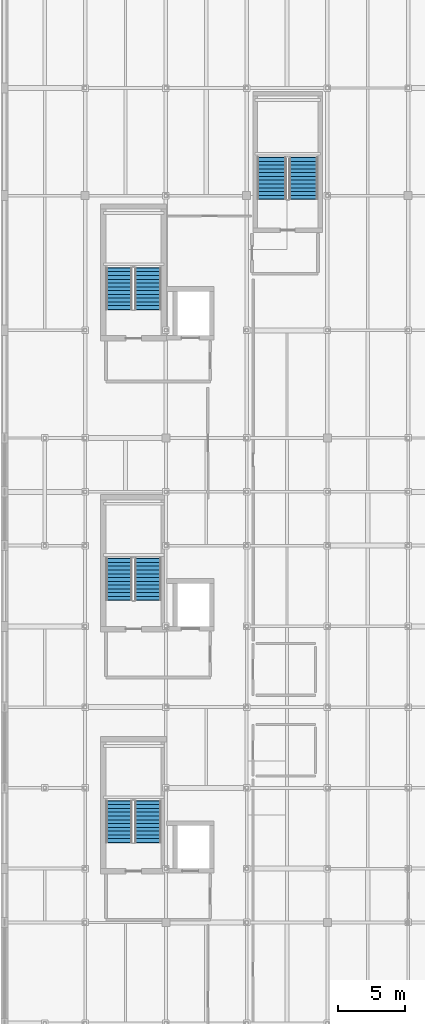
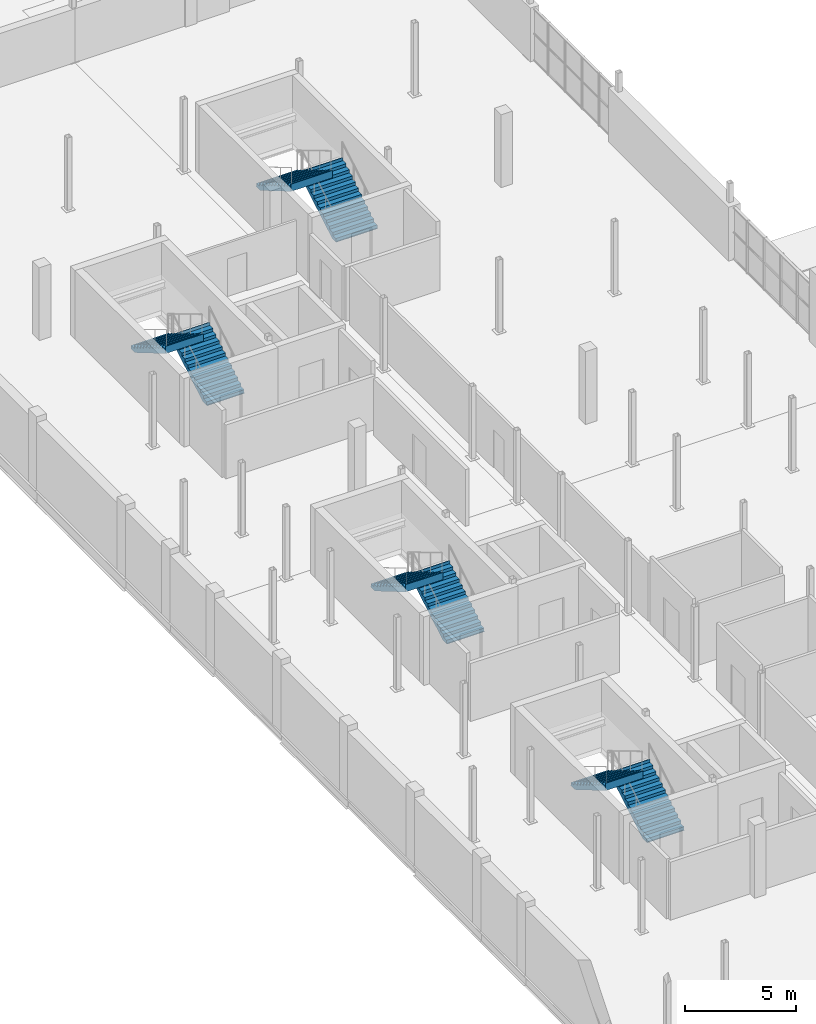
# One storey, part 92 of 96: 8 stair flights, 4 elements without a shape of their own.
"""IFC4 building model written with IfcOpenShell, lengths in metres."""

import ifcopenshell
import ifcopenshell.guid

model = None  # the IFC model being written
_history = None  # IfcOwnerHistory: only IFC2X3 demands one
_inside = {}  # id of a spatial element -> (the spatial element, [elements in it])
_under = {}  # id of a project, library or spatial element -> (it, [spatial elements below it])
_declared = {}  # id of a project -> (the project, [libraries it declares])
_typed = {}  # id of a type object -> (the type object, [elements of that type])
_made_of = {}  # id of a material, layer set ... -> (it, [elements and type objects made of it])


def new_model(schema):
    """Start an empty IFC model of exactly this schema.

    Asked for "IFC4X3", IfcOpenShell would pick the latest addendum, in which some entities
    have other attributes; the version numbers below select the first issue.
    IFC2X3 requires an IfcOwnerHistory on every rooted entity: one is made here for all.
    """
    global model, _history
    if schema == "IFC4X3":
        model = ifcopenshell.file(schema_version=(4, 3, 0, 0))
    else:
        model = ifcopenshell.file(schema=schema)
    _inside.clear()
    _under.clear()
    _declared.clear()
    _typed.clear()
    _made_of.clear()
    _history = None
    if model.schema == "IFC2X3":
        org = make("IfcOrganization", Name="unknown")
        user = make(
            "IfcPersonAndOrganization",
            ThePerson=make("IfcPerson", FamilyName="unknown"),
            TheOrganization=org,
        )
        app = make(
            "IfcApplication",
            ApplicationDeveloper=org,
            Version="unknown",
            ApplicationFullName="unknown",
            ApplicationIdentifier="unknown",
        )
        _history = make(
            "IfcOwnerHistory",
            OwningUser=user,
            OwningApplication=app,
            ChangeAction="ADDED",
            CreationDate=0,
        )
    return model


def make(cls, **values):
    """One entity of the class cls with the attributes given. An attribute that is None is left unset."""
    return model.create_entity(
        cls, **{name: value for name, value in values.items() if value is not None}
    )


def rooted(cls, **values):
    """An entity with a GlobalId (a new one), such as an element, a storey or a relation."""
    return make(cls, GlobalId=ifcopenshell.guid.new(), OwnerHistory=_history, **values)


def si_unit(unit_type, name, prefix=None):
    """IfcSIUnit, for example si_unit("LENGTHUNIT", "METRE", prefix="MILLI")."""
    return make("IfcSIUnit", UnitType=unit_type, Prefix=prefix, Name=name)


def assignment(units):
    """IfcUnitAssignment: the units of a project."""
    return None if units is None else make("IfcUnitAssignment", Units=units)


def point(xyz):
    """IfcCartesianPoint."""
    return None if xyz is None else make("IfcCartesianPoint", Coordinates=xyz)


def direction(xyz):
    """IfcDirection."""
    return None if xyz is None else make("IfcDirection", DirectionRatios=xyz)


def frame(location, z_axis=None, x_axis=None):
    """IfcAxis2Placement3D, a coordinate frame: its origin and axes. An axis left out is left unset."""
    return make(
        "IfcAxis2Placement3D",
        Location=point(location),
        Axis=direction(z_axis),
        RefDirection=direction(x_axis),
    )


def origin():
    """The frame at (0, 0, 0) with its axes left unset."""
    return frame((0.0, 0.0, 0.0))


def place(relative_to, where):
    """IfcLocalPlacement: puts the frame where relative to a parent placement (None: the world)."""
    return make(
        "IfcLocalPlacement", PlacementRelTo=relative_to, RelativePlacement=where
    )


def context(
    kind, dimensions, precision=None, world=None, true_north=None, identifier=None
):
    """IfcGeometricRepresentationContext, for example the 3D "Model" context."""
    return make(
        "IfcGeometricRepresentationContext",
        ContextIdentifier=identifier,
        ContextType=kind,
        CoordinateSpaceDimension=dimensions,
        Precision=precision,
        WorldCoordinateSystem=world,
        TrueNorth=true_north,
    )


def subcontext(parent, identifier, kind, view, scale=None):
    """IfcGeometricRepresentationSubContext, for example "Body" below "Model"."""
    return make(
        "IfcGeometricRepresentationSubContext",
        ContextIdentifier=identifier,
        ContextType=kind,
        ParentContext=parent,
        TargetScale=scale,
        TargetView=view,
    )


def project(units=None, contexts=None):
    """IfcProject with its units and contexts."""
    return rooted(
        "IfcProject",
        Name="project",
        RepresentationContexts=contexts,
        UnitsInContext=assignment(units),
    )


def spatial(cls, under=None, at=None, **own):
    """A site, building, storey or space (cls), placed at a placement, below another one or the project."""
    s = rooted(cls, ObjectPlacement=at, **own)
    if under is not None:
        _under.setdefault(under.id(), (under, []))[1].append(s)
    return s


def polyline(points):
    """IfcPolyline through the points."""
    return make("IfcPolyline", Points=[point(p) for p in points])


def outline(outer, holes=None, kind="AREA"):
    """IfcArbitraryClosedProfileDef: a profile drawn as a closed curve; with holes, ...WithVoids."""
    if holes is None:
        return make("IfcArbitraryClosedProfileDef", ProfileType=kind, OuterCurve=outer)
    return make(
        "IfcArbitraryProfileDefWithVoids",
        ProfileType=kind,
        OuterCurve=outer,
        InnerCurves=holes,
    )


def extrude(swept, where, along, depth):
    """IfcExtrudedAreaSolid: the profile swept, set in the frame where, extruded along a direction by depth."""
    return make(
        "IfcExtrudedAreaSolid",
        SweptArea=swept,
        Position=where,
        ExtrudedDirection=direction(along),
        Depth=depth,
    )


def shape(context_of_items, identifier, shape_type, items):
    """IfcShapeRepresentation: the items that make up one representation, for example the "Body"."""
    return make(
        "IfcShapeRepresentation",
        ContextOfItems=context_of_items,
        RepresentationIdentifier=identifier,
        RepresentationType=shape_type,
        Items=items,
    )


def material(Name=None, Category=None):
    """IfcMaterial."""
    return make("IfcMaterial", Name=Name, Category=Category)


def made_of(thing, what):
    """Note that an element or type object is made of a material, layer set ...; save() writes the relation."""
    if what is not None:
        _made_of.setdefault(what.id(), (what, []))[1].append(thing)
    return thing


def type_object(cls, material=None, **own):
    """A type object (cls), such as IfcWallType, which elements share."""
    return made_of(rooted(cls, **own), material)


def element(
    cls,
    number,
    at=None,
    inside=None,
    cuts=None,
    type_object=None,
    material=None,
    context=None,
    identifier="Body",
    shape_type=None,
    held_by="IfcProductDefinitionShape",
    body=None,
    shapes=None,
    **own,
):
    """One element of the class cls, such as IfcWall. Its Tag is "e" and its number.

    at: its placement. inside: the storey or other place that contains it. cuts: it is an
    opening in that element (IfcRelVoidsElement). A single representation is given by context,
    identifier, shape_type and body (its items); several are given by shapes. held_by: the class
    of the entity that holds the representations. save() writes the other relations.
    """
    e = rooted(cls, Tag="e%d" % number, ObjectPlacement=at, **own)
    if body is not None:
        shapes = [shape(context, identifier, shape_type, body)]
    if shapes is not None:
        e.Representation = make(held_by, Representations=shapes)
    if inside is not None:
        _inside.setdefault(inside.id(), (inside, []))[1].append(e)
    if cuts is not None:
        rooted(
            "IfcRelVoidsElement", RelatingBuildingElement=cuts, RelatedOpeningElement=e
        )
    if type_object is not None:
        _typed.setdefault(type_object.id(), (type_object, []))[1].append(e)
    return made_of(e, material)


def aggregate(whole, parts):
    """IfcRelAggregates: a whole, such as a stair, and the parts it consists of."""
    return rooted("IfcRelAggregates", RelatingObject=whole, RelatedObjects=parts)


def save(model, path):
    """Write the relations noted so far, then the file.

    IfcRelAggregates (storeys below a building ...), IfcRelContainedInSpatialStructure (elements
    in a storey), IfcRelDefinesByType, IfcRelAssociatesMaterial and IfcRelDeclares: one each for
    every whole, place, type object, material and project.
    """
    for whole, parts in _under.values():
        aggregate(whole, parts)
    for where, things in _inside.values():
        rooted(
            "IfcRelContainedInSpatialStructure",
            RelatedElements=things,
            RelatingStructure=where,
        )
    for kind, things in _typed.values():
        rooted("IfcRelDefinesByType", RelatedObjects=things, RelatingType=kind)
    for what, things in _made_of.values():
        rooted("IfcRelAssociatesMaterial", RelatedObjects=things, RelatingMaterial=what)
    for by, libraries in _declared.values():
        rooted("IfcRelDeclares", RelatingContext=by, RelatedDefinitions=libraries)
    model.write(path)


model = new_model("IFC4")

# Units and contexts
model_context = context("Model", 3, precision=1e-05, world=origin(), true_north=direction((0.0, 1.0)))
body_context = subcontext(model_context, "Body", "Model", "MODEL_VIEW")
ifc_project = project(units=[si_unit("LENGTHUNIT", "METRE"), si_unit("AREAUNIT", "SQUARE_METRE"), si_unit("VOLUMEUNIT", "CUBIC_METRE"), si_unit("PLANEANGLEUNIT", "RADIAN"), si_unit("MASSUNIT", "GRAM", prefix="KILO")], contexts=[model_context])

# Site, building, storey
site_placement = place(None, origin())
site = spatial("IfcSite", under=ifc_project, at=site_placement, CompositionType="ELEMENT")
building_placement = place(site_placement, origin())
building = spatial("IfcBuilding", under=site, at=building_placement, Name="Verrall Gate Interchange", CompositionType="ELEMENT")
storey_placement = place(building_placement, frame((0.0, 0.0, 11.39990234375)))
storey = spatial("IfcBuildingStorey", under=building, at=storey_placement, Name="L03", CompositionType="ELEMENT", Elevation=11.39990234375)

# Stair, stair flights
ifc_material_1 = material(Name="Concrete CSA A23.1 40 MPa (Class N)", Category="concrete")
stair_type_1 = type_object("IfcStairType", Name="ST-T04 Straight-Flight Return Exit Stair W1950 H4000", PredefinedType="STRAIGHT_RUN_STAIR", material=ifc_material_1)
stair_1_placement = place(storey_placement, origin())
stair_1 = element("IfcStair", 1, at=stair_1_placement, inside=storey, type_object=stair_type_1, Name="L03 ST-01", PredefinedType="STRAIGHT_RUN_STAIR")
ifc_material_2 = material(Name="Concrete CSA A23.1 40 MPa (Class N)", Category="concrete")
stair_flight_type_1 = type_object("IfcStairFlightType", Name="SF-T04 Concrete Stair Flight W1950 R167 N24", PredefinedType="STRAIGHT", material=ifc_material_2)
stair_flight_1_placement = place(storey_placement, frame((10.675048828125, 17.949951171875, 0.0), z_axis=(0.0, 0.0, 1.0), x_axis=(0.0, 1.0, 0.0)))
stair_flight_1 = element("IfcStairFlight", 2, at=stair_flight_1_placement, type_object=stair_flight_type_1, Name="ST-01 flight 1", NumberOfRisers=12, NumberOfTreads=11, PredefinedType="STRAIGHT", RiserHeight=0.166666667, TreadLength=0.28, context=body_context, shape_type="SweptSolid", body=[
    extrude(outline(polyline([(-0.034912109375, -0.02001953125), (-0.034912109375, 0.0), (0.0, 0.0), (0.0, 0.166748046875), (0.280029296875, 0.166748046875), (0.280029296875, 0.333251953125), (0.56005859375, 0.333251953125), (0.56005859375, 0.5), (0.840087890625, 0.5), (0.840087890625, 0.666748046875), (1.1201171875, 0.666748046875), (1.1201171875, 0.833251953125), (1.39990234375, 0.833251953125), (1.39990234375, 1.0), (1.679931640625, 1.0), (1.679931640625, 1.166748046875), (1.9599609375, 1.166748046875), (1.9599609375, 1.333251953125), (2.239990234375, 1.333251953125), (2.239990234375, 1.5), (2.52001953125, 1.5), (2.52001953125, 1.666748046875), (2.800048828125, 1.666748046875), (2.800048828125, 1.833251953125), (3.080078125, 1.833251953125), (3.080078125, 2.0), (3.114990234375, 2.0), (3.114990234375, 1.6005859375), (0.357421875, -0.02001953125), (-0.034912109375, -0.02001953125)])), frame((0.0, 0.97509765625, 0.0), z_axis=(0.0, -1.0, 0.0), x_axis=(1.0, 0.0, 0.0)), (0.0, 0.0, 1.0), 1.949951171875),
])
stair_flight_2_placement = place(storey_placement, frame((8.52490234375, 21.030029296875, 2.0), z_axis=(0.0, 0.0, 1.0), x_axis=(0.0, -1.0, 0.0)))
stair_flight_2 = element("IfcStairFlight", 3, at=stair_flight_2_placement, type_object=stair_flight_type_1, Name="ST-01 flight 2", NumberOfRisers=12, NumberOfTreads=11, PredefinedType="STRAIGHT", RiserHeight=0.166666667, TreadLength=0.28, context=body_context, shape_type="SweptSolid", body=[
    extrude(outline(polyline([(-0.034912109375, -0.02001953125), (-0.034912109375, 0.0), (0.0, 0.0), (0.0, 0.166748046875), (0.280029296875, 0.166748046875), (0.280029296875, 0.333251953125), (0.56005859375, 0.333251953125), (0.56005859375, 0.5), (0.840087890625, 0.5), (0.840087890625, 0.666748046875), (1.1201171875, 0.666748046875), (1.1201171875, 0.833251953125), (1.39990234375, 0.833251953125), (1.39990234375, 1.0), (1.679931640625, 1.0), (1.679931640625, 1.166748046875), (1.9599609375, 1.166748046875), (1.9599609375, 1.333251953125), (2.239990234375, 1.333251953125), (2.239990234375, 1.5), (2.52001953125, 1.5), (2.52001953125, 1.666748046875), (2.800048828125, 1.666748046875), (2.800048828125, 1.833251953125), (3.080078125, 1.833251953125), (3.080078125, 2.0), (3.114990234375, 2.0), (3.114990234375, 1.6005859375), (0.357421875, -0.02001953125), (-0.034912109375, -0.02001953125)])), frame((0.0, 0.97509765625, 0.0), z_axis=(0.0, -1.0, 0.0), x_axis=(1.0, 0.0, 0.0)), (0.0, 0.0, 1.0), 1.949951171875),
])
aggregate(stair_1, [stair_flight_1, stair_flight_2])

stair_2_placement = place(storey_placement, origin())
stair_2 = element("IfcStair", 4, at=stair_2_placement, inside=storey, type_object=stair_type_1, Name="L03 ST-02", PredefinedType="STRAIGHT_RUN_STAIR")
stair_flight_3_placement = place(storey_placement, frame((10.675048828125, 35.949951171875, 0.0), z_axis=(0.0, 0.0, 1.0), x_axis=(0.0, 1.0, 0.0)))
stair_flight_3 = element("IfcStairFlight", 5, at=stair_flight_3_placement, type_object=stair_flight_type_1, Name="ST-02 flight 1", NumberOfRisers=12, NumberOfTreads=11, PredefinedType="STRAIGHT", RiserHeight=0.166666667, TreadLength=0.28, context=body_context, shape_type="SweptSolid", body=[
    extrude(outline(polyline([(-0.034912109375, -0.02001953125), (-0.034912109375, 0.0), (0.0, 0.0), (0.0, 0.166748046875), (0.280029296875, 0.166748046875), (0.280029296875, 0.333251953125), (0.56005859375, 0.333251953125), (0.56005859375, 0.5), (0.840087890625, 0.5), (0.840087890625, 0.666748046875), (1.1201171875, 0.666748046875), (1.1201171875, 0.833251953125), (1.39990234375, 0.833251953125), (1.39990234375, 1.0), (1.679931640625, 1.0), (1.679931640625, 1.166748046875), (1.9599609375, 1.166748046875), (1.9599609375, 1.333251953125), (2.239990234375, 1.333251953125), (2.239990234375, 1.5), (2.52001953125, 1.5), (2.52001953125, 1.666748046875), (2.800048828125, 1.666748046875), (2.800048828125, 1.833251953125), (3.080078125, 1.833251953125), (3.080078125, 2.0), (3.114990234375, 2.0), (3.114990234375, 1.6005859375), (0.357421875, -0.02001953125), (-0.034912109375, -0.02001953125)])), frame((0.0, 0.97509765625, 0.0), z_axis=(0.0, -1.0, 0.0), x_axis=(1.0, 0.0, 0.0)), (0.0, 0.0, 1.0), 1.949951171875),
])
stair_flight_4_placement = place(storey_placement, frame((8.52490234375, 39.030029296875, 2.0), z_axis=(0.0, 0.0, 1.0), x_axis=(0.0, -1.0, 0.0)))
stair_flight_4 = element("IfcStairFlight", 6, at=stair_flight_4_placement, type_object=stair_flight_type_1, Name="ST-02 flight 2", NumberOfRisers=12, NumberOfTreads=11, PredefinedType="STRAIGHT", RiserHeight=0.166666667, TreadLength=0.28, context=body_context, shape_type="SweptSolid", body=[
    extrude(outline(polyline([(-0.034912109375, -0.02001953125), (-0.034912109375, 0.0), (0.0, 0.0), (0.0, 0.166748046875), (0.280029296875, 0.166748046875), (0.280029296875, 0.333251953125), (0.56005859375, 0.333251953125), (0.56005859375, 0.5), (0.840087890625, 0.5), (0.840087890625, 0.666748046875), (1.1201171875, 0.666748046875), (1.1201171875, 0.833251953125), (1.39990234375, 0.833251953125), (1.39990234375, 1.0), (1.679931640625, 1.0), (1.679931640625, 1.166748046875), (1.9599609375, 1.166748046875), (1.9599609375, 1.333251953125), (2.239990234375, 1.333251953125), (2.239990234375, 1.5), (2.52001953125, 1.5), (2.52001953125, 1.666748046875), (2.800048828125, 1.666748046875), (2.800048828125, 1.833251953125), (3.080078125, 1.833251953125), (3.080078125, 2.0), (3.114990234375, 2.0), (3.114990234375, 1.6005859375), (0.357421875, -0.02001953125), (-0.034912109375, -0.02001953125)])), frame((0.0, 0.97509765625, 0.0), z_axis=(0.0, -1.0, 0.0), x_axis=(1.0, 0.0, 0.0)), (0.0, 0.0, 1.0), 1.949951171875),
])
aggregate(stair_2, [stair_flight_3, stair_flight_4])

stair_3_placement = place(storey_placement, origin())
stair_3 = element("IfcStair", 7, at=stair_3_placement, inside=storey, type_object=stair_type_1, Name="L03 ST-03", PredefinedType="STRAIGHT_RUN_STAIR")
stair_flight_5_placement = place(storey_placement, frame((10.675048828125, 57.550048828125, 0.0), z_axis=(0.0, 0.0, 1.0), x_axis=(0.0, 1.0, 0.0)))
stair_flight_5 = element("IfcStairFlight", 8, at=stair_flight_5_placement, type_object=stair_flight_type_1, Name="ST-03 flight 1", NumberOfRisers=12, NumberOfTreads=11, PredefinedType="STRAIGHT", RiserHeight=0.166666667, TreadLength=0.28, context=body_context, shape_type="SweptSolid", body=[
    extrude(outline(polyline([(-0.034912109375, -0.02001953125), (-0.034912109375, 0.0), (0.0, 0.0), (0.0, 0.166748046875), (0.280029296875, 0.166748046875), (0.280029296875, 0.333251953125), (0.56005859375, 0.333251953125), (0.56005859375, 0.5), (0.840087890625, 0.5), (0.840087890625, 0.666748046875), (1.1201171875, 0.666748046875), (1.1201171875, 0.833251953125), (1.39990234375, 0.833251953125), (1.39990234375, 1.0), (1.679931640625, 1.0), (1.679931640625, 1.166748046875), (1.9599609375, 1.166748046875), (1.9599609375, 1.333251953125), (2.239990234375, 1.333251953125), (2.239990234375, 1.5), (2.52001953125, 1.5), (2.52001953125, 1.666748046875), (2.800048828125, 1.666748046875), (2.800048828125, 1.833251953125), (3.080078125, 1.833251953125), (3.080078125, 2.0), (3.114990234375, 2.0), (3.114990234375, 1.6005859375), (0.357421875, -0.02001953125), (-0.034912109375, -0.02001953125)])), frame((0.0, 0.97509765625, 0.0), z_axis=(0.0, -1.0, 0.0), x_axis=(1.0, 0.0, 0.0)), (0.0, 0.0, 1.0), 1.949951171875),
])
stair_flight_6_placement = place(storey_placement, frame((8.52490234375, 60.6298828125, 2.0), z_axis=(0.0, 0.0, 1.0), x_axis=(0.0, -1.0, 0.0)))
stair_flight_6 = element("IfcStairFlight", 9, at=stair_flight_6_placement, type_object=stair_flight_type_1, Name="ST-03 flight 2", NumberOfRisers=12, NumberOfTreads=11, PredefinedType="STRAIGHT", RiserHeight=0.166666667, TreadLength=0.28, context=body_context, shape_type="SweptSolid", body=[
    extrude(outline(polyline([(-0.034912109375, -0.02001953125), (-0.034912109375, 0.0), (0.0, 0.0), (0.0, 0.166748046875), (0.280029296875, 0.166748046875), (0.280029296875, 0.333251953125), (0.56005859375, 0.333251953125), (0.56005859375, 0.5), (0.840087890625, 0.5), (0.840087890625, 0.666748046875), (1.1201171875, 0.666748046875), (1.1201171875, 0.833251953125), (1.39990234375, 0.833251953125), (1.39990234375, 1.0), (1.679931640625, 1.0), (1.679931640625, 1.166748046875), (1.9599609375, 1.166748046875), (1.9599609375, 1.333251953125), (2.239990234375, 1.333251953125), (2.239990234375, 1.5), (2.52001953125, 1.5), (2.52001953125, 1.666748046875), (2.800048828125, 1.666748046875), (2.800048828125, 1.833251953125), (3.080078125, 1.833251953125), (3.080078125, 2.0), (3.114990234375, 2.0), (3.114990234375, 1.6005859375), (0.357421875, -0.02001953125), (-0.034912109375, -0.02001953125)])), frame((0.0, 0.97509765625, 0.0), z_axis=(0.0, -1.0, 0.0), x_axis=(1.0, 0.0, 0.0)), (0.0, 0.0, 1.0), 1.949951171875),
])
aggregate(stair_3, [stair_flight_5, stair_flight_6])

ifc_material_3 = material(Name="Concrete CSA A23.1 40 MPa (Class N)", Category="concrete")
stair_type_2 = type_object("IfcStairType", Name="ST-T10 Straight-Flight Return Exit Stair W2150 H4000", PredefinedType="STRAIGHT_RUN_STAIR", material=ifc_material_3)
stair_4_placement = place(storey_placement, origin())
stair_4 = element("IfcStair", 10, at=stair_4_placement, inside=storey, type_object=stair_type_2, Name="L03 ST-04", PredefinedType="STRAIGHT_RUN_STAIR")
ifc_material_4 = material(Name="Concrete CSA A23.1 40 MPa (Class N)", Category="concrete")
stair_flight_type_2 = type_object("IfcStairFlightType", Name="SF-T10 Concrete Stair Flight W2150 R167 N24", PredefinedType="STRAIGHT", material=ifc_material_4)
stair_flight_7_placement = place(storey_placement, frame((22.22509765625, 65.75, 0.0), z_axis=(0.0, 0.0, 1.0), x_axis=(0.0, 1.0, 0.0)))
stair_flight_7 = element("IfcStairFlight", 11, at=stair_flight_7_placement, type_object=stair_flight_type_2, Name="ST-04 flight 1", NumberOfRisers=12, NumberOfTreads=11, PredefinedType="STRAIGHT", RiserHeight=0.166666667, TreadLength=0.28, context=body_context, shape_type="SweptSolid", body=[
    extrude(outline(polyline([(-0.034912109375, -0.02001953125), (-0.034912109375, 0.0), (0.0, 0.0), (0.0, 0.166748046875), (0.280029296875, 0.166748046875), (0.280029296875, 0.333251953125), (0.56005859375, 0.333251953125), (0.56005859375, 0.5), (0.840087890625, 0.5), (0.840087890625, 0.666748046875), (1.1201171875, 0.666748046875), (1.1201171875, 0.833251953125), (1.39990234375, 0.833251953125), (1.39990234375, 1.0), (1.679931640625, 1.0), (1.679931640625, 1.166748046875), (1.9599609375, 1.166748046875), (1.9599609375, 1.333251953125), (2.239990234375, 1.333251953125), (2.239990234375, 1.5), (2.52001953125, 1.5), (2.52001953125, 1.666748046875), (2.800048828125, 1.666748046875), (2.800048828125, 1.833251953125), (3.080078125, 1.833251953125), (3.080078125, 2.0), (3.114990234375, 2.0), (3.114990234375, 1.6005859375), (0.357421875, -0.02001953125), (-0.034912109375, -0.02001953125)])), frame((0.0, 1.074951171875, 0.0), z_axis=(0.0, -1.0, 0.0), x_axis=(1.0, 0.0, 0.0)), (0.0, 0.0, 1.0), 2.14990234375),
])
stair_flight_8_placement = place(storey_placement, frame((19.875, 68.830078125, 2.0), z_axis=(0.0, 0.0, 1.0), x_axis=(0.0, -1.0, 0.0)))
stair_flight_8 = element("IfcStairFlight", 12, at=stair_flight_8_placement, type_object=stair_flight_type_2, Name="ST-04 flight 2", NumberOfRisers=12, NumberOfTreads=11, PredefinedType="STRAIGHT", RiserHeight=0.166666667, TreadLength=0.28, context=body_context, shape_type="SweptSolid", body=[
    extrude(outline(polyline([(-0.034912109375, -0.02001953125), (-0.034912109375, 0.0), (0.0, 0.0), (0.0, 0.166748046875), (0.280029296875, 0.166748046875), (0.280029296875, 0.333251953125), (0.56005859375, 0.333251953125), (0.56005859375, 0.5), (0.840087890625, 0.5), (0.840087890625, 0.666748046875), (1.1201171875, 0.666748046875), (1.1201171875, 0.833251953125), (1.39990234375, 0.833251953125), (1.39990234375, 1.0), (1.679931640625, 1.0), (1.679931640625, 1.166748046875), (1.9599609375, 1.166748046875), (1.9599609375, 1.333251953125), (2.239990234375, 1.333251953125), (2.239990234375, 1.5), (2.52001953125, 1.5), (2.52001953125, 1.666748046875), (2.800048828125, 1.666748046875), (2.800048828125, 1.833251953125), (3.080078125, 1.833251953125), (3.080078125, 2.0), (3.114990234375, 2.0), (3.114990234375, 1.6005859375), (0.357421875, -0.02001953125), (-0.034912109375, -0.02001953125)])), frame((0.0, 1.074951171875, 0.0), z_axis=(0.0, -1.0, 0.0), x_axis=(1.0, 0.0, 0.0)), (0.0, 0.0, 1.0), 2.14990234375),
])
aggregate(stair_4, [stair_flight_7, stair_flight_8])

save(model, "model.ifc")
